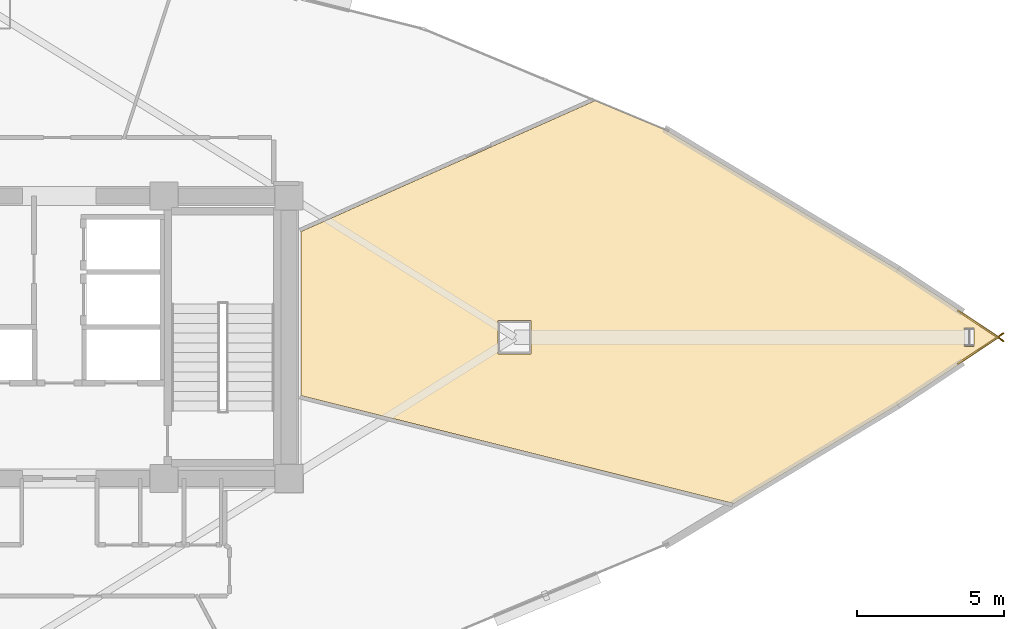
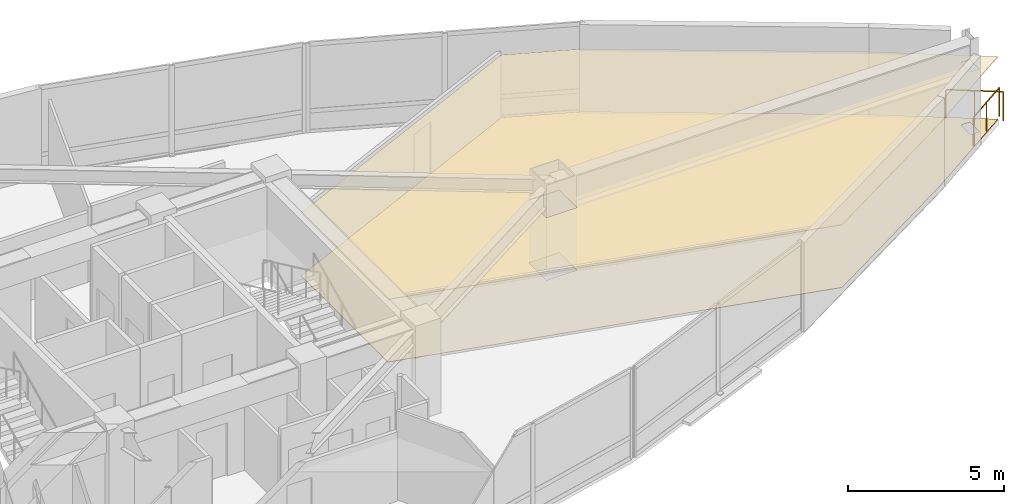
# One storey, part 18 of 18: 2 coverings, 2 railings.
"""IFC4 building model written with IfcOpenShell, lengths in metres."""

from ifc_helpers import new_model, si_unit, direction, frame, origin, origin_2d, place, context, subcontext, project, spatial, polyline, circle, outline, extrude, material, layer, layer_set, type_object, element, save


model = new_model("IFC4")

# Units and contexts
model_context = context("Model", 3, precision=1e-05, world=origin(), true_north=direction((0.0, 1.0)))
body_context = subcontext(model_context, "Body", "Model", "MODEL_VIEW")
ifc_project = project(units=[si_unit("LENGTHUNIT", "METRE"), si_unit("AREAUNIT", "SQUARE_METRE"), si_unit("VOLUMEUNIT", "CUBIC_METRE"), si_unit("PLANEANGLEUNIT", "RADIAN"), si_unit("MASSUNIT", "GRAM", prefix="KILO")], contexts=[model_context])

# Site, building, storey
site_placement = place(None, origin())
site = spatial("IfcSite", under=ifc_project, at=site_placement, CompositionType="ELEMENT")
building_placement = place(site_placement, origin())
building = spatial("IfcBuilding", under=site, at=building_placement, Name="Menara Vayukalpa", CompositionType="ELEMENT")
storey_placement = place(building_placement, frame((0.0, 0.0, 158.0400390625)))
storey = spatial("IfcBuildingStorey", under=building, at=storey_placement, Name="L39", CompositionType="ELEMENT", Elevation=158.0400390625)

# Coverings
ifc_material_1 = material(Name="Mineral Fibre Acoustic Ceiling Tile", Category="masonry")
ifc_layer_1 = layer(ifc_material_1, 0.02490234375)
ifc_layer_set_1 = layer_set([ifc_layer_1], Name="Mineral Fibre Acoustic Ceiling Tile")
covering_type_1 = type_object("IfcCoveringType", Name="COV-CLG1", PredefinedType="CEILING", material=ifc_layer_set_1)
covering_1_placement = place(storey_placement, frame((0.0, 0.0, 2.449951171875)))
element("IfcCovering", 1, at=covering_1_placement, inside=storey, type_object=covering_type_1, Name="L39 Open Plan Office Workplace Acoustic Ceiling", PredefinedType="CEILING", context=body_context, shape_type="SweptSolid", body=[
    extrude(outline(polyline([(54.0810546875, 24.291748046875), (57.521240234375, 22.00830078125), (57.52197265625, 22.0078125), (57.522705078125, 22.007080078125), (57.5234375, 22.00634765625), (57.52392578125, 22.005615234375), (57.5244140625, 22.004638671875), (57.52490234375, 22.00390625), (57.525390625, 22.0029296875), (57.525390625, 22.001953125), (57.525634765625, 22.0009765625), (57.525634765625, 22.0), (57.525634765625, 21.9990234375), (57.525390625, 21.998046875), (57.525390625, 21.9970703125), (57.52490234375, 21.99609375), (57.5244140625, 21.995361328125), (57.52392578125, 21.994384765625), (57.5234375, 21.99365234375), (57.522705078125, 21.992919921875), (57.52197265625, 21.9921875), (57.521240234375, 21.99169921875), (54.0810546875, 19.708251953125), (54.080810546875, 19.7080078125), (48.501953125, 16.3505859375), (48.5009765625, 16.35009765625), (48.500244140625, 16.349609375), (48.499267578125, 16.349365234375), (48.498291015625, 16.34912109375), (48.497314453125, 16.34912109375), (48.49658203125, 16.34912109375), (48.49560546875, 16.34912109375), (48.49462890625, 16.349365234375), (48.49365234375, 16.349609375), (48.492919921875, 16.349853515625), (48.491943359375, 16.350341796875), (48.4912109375, 16.350830078125), (48.489013671875, 16.352294921875), (48.483642578125, 16.35498046875), (48.478271484375, 16.357421875), (48.472412109375, 16.359130859375), (33.817626953125, 20.012939453125), (33.816650390625, 20.01318359375), (33.81591796875, 20.013671875), (33.81494140625, 20.01416015625), (33.814208984375, 20.0146484375), (33.8134765625, 20.01513671875), (33.812744140625, 20.015869140625), (33.81201171875, 20.0166015625), (33.8115234375, 20.017333984375), (33.81103515625, 20.01806640625), (33.810791015625, 20.01904296875), (33.810302734375, 20.02001953125), (33.810302734375, 20.020751953125), (33.81005859375, 20.021728515625), (33.81005859375, 20.022705078125), (33.81005859375, 25.583251953125), (33.81005859375, 25.584228515625), (33.810302734375, 25.585205078125), (33.810302734375, 25.5859375), (33.810791015625, 25.5869140625), (33.81103515625, 25.587890625), (33.8115234375, 25.588623046875), (33.812255859375, 25.58935546875), (33.812744140625, 25.590087890625), (33.8134765625, 25.5908203125), (33.814208984375, 25.59130859375), (33.815185546875, 25.591796875), (33.81591796875, 25.59228515625), (43.76513671875, 30.02197265625), (43.7705078125, 30.024658203125), (43.775634765625, 30.02783203125), (43.7802734375, 30.031494140625), (43.781005859375, 30.0322265625), (43.781982421875, 30.032958984375), (43.78271484375, 30.033447265625), (43.78369140625, 30.033935546875), (43.78466796875, 30.034423828125), (43.78564453125, 30.03466796875), (43.78662109375, 30.034912109375), (43.78759765625, 30.034912109375), (43.788818359375, 30.034912109375), (43.789794921875, 30.03466796875), (43.790771484375, 30.034423828125), (43.791748046875, 30.0341796875), (46.22998046875, 29.0166015625), (46.231201171875, 29.01611328125), (54.080810546875, 24.2919921875), (54.0810546875, 24.291748046875)]), holes=[polyline([(41.6240234375, 22.56494140625), (40.494140625, 22.56494140625), (40.494140625, 21.43505859375), (41.6240234375, 21.43505859375), (41.6240234375, 22.56494140625)]), polyline([(56.6669921875, 22.30908203125), (56.3369140625, 22.30908203125), (56.3369140625, 21.69091796875), (56.6669921875, 21.69091796875), (56.6669921875, 22.30908203125)])]), origin(), (0.0, 0.0, 1.0), 0.02490234375),
])
ifc_material_2 = material(Name="Porcelain Stoneware Floor Tile", Category="masonry")
ifc_layer_2 = layer(ifc_material_2, 0.02001953125)
ifc_layer_set_2 = layer_set([ifc_layer_2], Name="Porcelain Stoneware Floor Tile")
covering_type_2 = type_object("IfcCoveringType", Name="COV-FLR1", PredefinedType="FLOORING", material=ifc_layer_set_2)
covering_2_placement = place(storey_placement, origin())
element("IfcCovering", 2, at=covering_2_placement, inside=storey, type_object=covering_type_2, Name="L39 Open Plan Office Workplace Porcelain Flooring", PredefinedType="FLOORING", context=body_context, shape_type="SweptSolid", body=[
    extrude(outline(polyline([(54.0810546875, 24.291748046875), (57.521240234375, 22.00830078125), (57.52197265625, 22.0078125), (57.522705078125, 22.007080078125), (57.5234375, 22.00634765625), (57.52392578125, 22.005615234375), (57.5244140625, 22.004638671875), (57.52490234375, 22.00390625), (57.525390625, 22.0029296875), (57.525390625, 22.001953125), (57.525634765625, 22.0009765625), (57.525634765625, 22.0), (57.525634765625, 21.9990234375), (57.525390625, 21.998046875), (57.525390625, 21.9970703125), (57.52490234375, 21.99609375), (57.5244140625, 21.995361328125), (57.52392578125, 21.994384765625), (57.5234375, 21.99365234375), (57.522705078125, 21.992919921875), (57.52197265625, 21.9921875), (57.521240234375, 21.99169921875), (54.0810546875, 19.708251953125), (54.080810546875, 19.7080078125), (48.501953125, 16.3505859375), (48.5009765625, 16.35009765625), (48.500244140625, 16.349609375), (48.499267578125, 16.349365234375), (48.498291015625, 16.34912109375), (48.497314453125, 16.34912109375), (48.49658203125, 16.34912109375), (48.49560546875, 16.34912109375), (48.49462890625, 16.349365234375), (48.49365234375, 16.349609375), (48.492919921875, 16.349853515625), (48.491943359375, 16.350341796875), (48.4912109375, 16.350830078125), (48.489013671875, 16.352294921875), (48.483642578125, 16.35498046875), (48.478271484375, 16.357421875), (48.472412109375, 16.359130859375), (33.817626953125, 20.012939453125), (33.816650390625, 20.01318359375), (33.81591796875, 20.013671875), (33.81494140625, 20.01416015625), (33.814208984375, 20.0146484375), (33.8134765625, 20.01513671875), (33.812744140625, 20.015869140625), (33.81201171875, 20.0166015625), (33.8115234375, 20.017333984375), (33.81103515625, 20.01806640625), (33.810791015625, 20.01904296875), (33.810302734375, 20.02001953125), (33.810302734375, 20.020751953125), (33.81005859375, 20.021728515625), (33.81005859375, 20.022705078125), (33.81005859375, 25.583251953125), (33.81005859375, 25.584228515625), (33.810302734375, 25.585205078125), (33.810302734375, 25.5859375), (33.810791015625, 25.5869140625), (33.81103515625, 25.587890625), (33.8115234375, 25.588623046875), (33.812255859375, 25.58935546875), (33.812744140625, 25.590087890625), (33.8134765625, 25.5908203125), (33.814208984375, 25.59130859375), (33.815185546875, 25.591796875), (33.81591796875, 25.59228515625), (43.76513671875, 30.02197265625), (43.7705078125, 30.024658203125), (43.775634765625, 30.02783203125), (43.7802734375, 30.031494140625), (43.781005859375, 30.0322265625), (43.781982421875, 30.032958984375), (43.78271484375, 30.033447265625), (43.78369140625, 30.033935546875), (43.78466796875, 30.034423828125), (43.78564453125, 30.03466796875), (43.78662109375, 30.034912109375), (43.78759765625, 30.034912109375), (43.788818359375, 30.034912109375), (43.789794921875, 30.03466796875), (43.790771484375, 30.034423828125), (43.791748046875, 30.0341796875), (46.22998046875, 29.0166015625), (46.231201171875, 29.01611328125), (54.080810546875, 24.2919921875), (54.0810546875, 24.291748046875)]), holes=[polyline([(41.6240234375, 22.56494140625), (40.494140625, 22.56494140625), (40.494140625, 21.43505859375), (41.6240234375, 21.43505859375), (41.6240234375, 22.56494140625)]), polyline([(56.6669921875, 22.30908203125), (56.3369140625, 22.30908203125), (56.3369140625, 21.69091796875), (56.6669921875, 21.69091796875), (56.6669921875, 22.30908203125)])]), origin(), (0.0, 0.0, 1.0), 0.02001953125),
])

# Railings
ifc_material_3 = material(Name="Laminated Glass and Stainless Steel 316 Guardrail", Category="steel")
railing_type = type_object("IfcRailingType", Name="RLG-EXT115", PredefinedType="GUARDRAIL", material=ifc_material_3)
railing_1_placement = place(storey_placement, frame((56.1171875, 21.107666015625, 0.0)))
element("IfcRailing", 3, at=railing_1_placement, inside=storey, type_object=railing_type, Name="L39 Column Corner Spandrel Guardrail 01-1", PredefinedType="GUARDRAIL", context=body_context, shape_type="SweptSolid", body=[
    extrude(circle(Radius=0.02392578125, at=origin_2d()), frame((0.0, 0.0, 1.1259765625), z_axis=(0.833186138722, 0.552992638505, 0.0), x_axis=(-0.552992638505, 0.833186138722, 0.0)), (0.0, 0.0, 1.0), 1.848876953125),
    extrude(circle(Radius=0.02099609375, at=origin_2d()), origin(), (0.0, 0.0, 1.0), 1.101806640625),
    extrude(circle(Radius=0.02099609375, at=origin_2d()), frame((0.770263671875, 0.51123046875, 0.0)), (0.0, 0.0, 1.0), 1.101806640625),
    extrude(circle(Radius=0.02099609375, at=origin_2d()), frame((1.54052734375, 1.0224609375, 0.0)), (0.0, 0.0, 1.0), 1.101806640625),
])
railing_2_placement = place(storey_placement, frame((57.65771484375, 21.869873046875, 0.0)))
element("IfcRailing", 4, at=railing_2_placement, inside=storey, type_object=railing_type, Name="L39 Column Corner Spandrel Guardrail 02-1", PredefinedType="GUARDRAIL", context=body_context, shape_type="SweptSolid", body=[
    extrude(circle(Radius=0.02392578125, at=origin_2d()), frame((0.0, 0.0, 1.1259765625), z_axis=(-0.833186138722, 0.552992638505, 0.0), x_axis=(-0.552992638505, -0.833186138722, 0.0)), (0.0, 0.0, 1.0), 1.848876953125),
    extrude(circle(Radius=0.02099609375, at=origin_2d()), origin(), (0.0, 0.0, 1.0), 1.101806640625),
    extrude(circle(Radius=0.02099609375, at=origin_2d()), frame((-0.770263671875, 0.51123046875, 0.0)), (0.0, 0.0, 1.0), 1.101806640625),
    extrude(circle(Radius=0.02099609375, at=origin_2d()), frame((-1.54052734375, 1.0224609375, 0.0)), (0.0, 0.0, 1.0), 1.101806640625),
])

save(model, "model.ifc")
